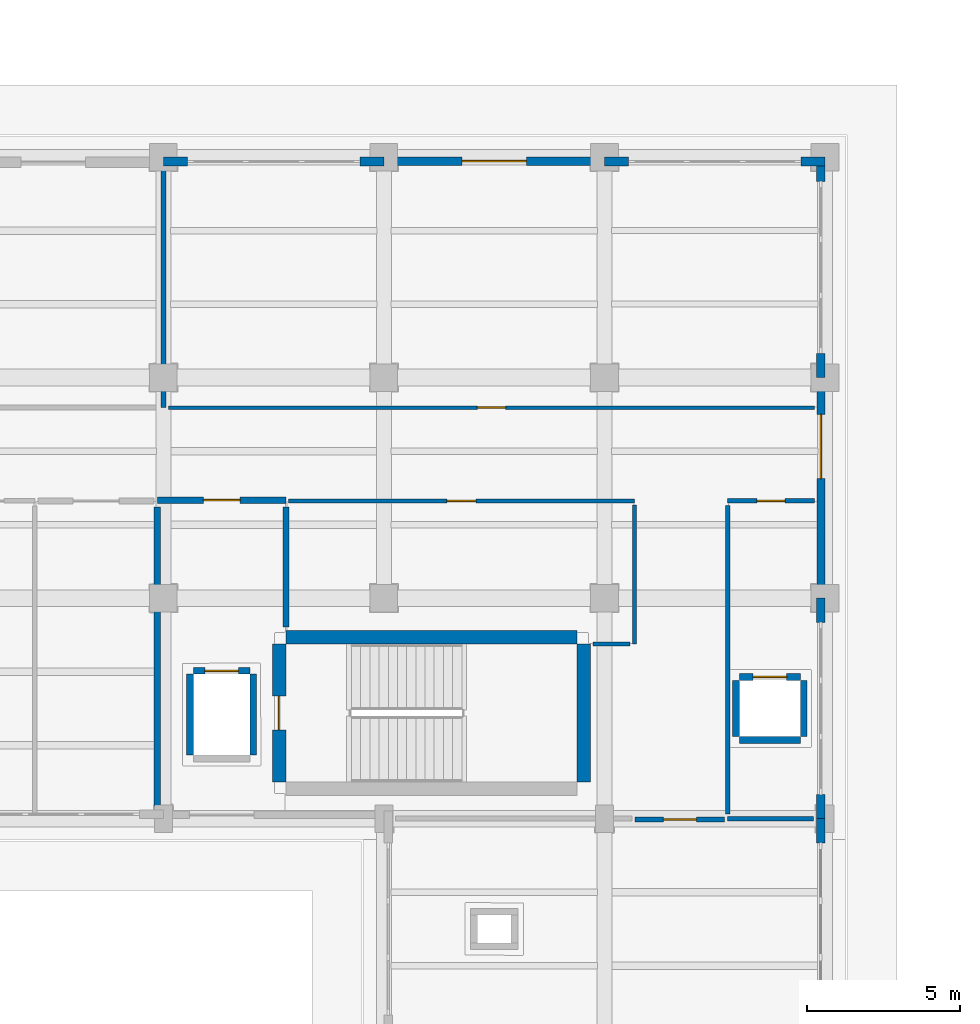
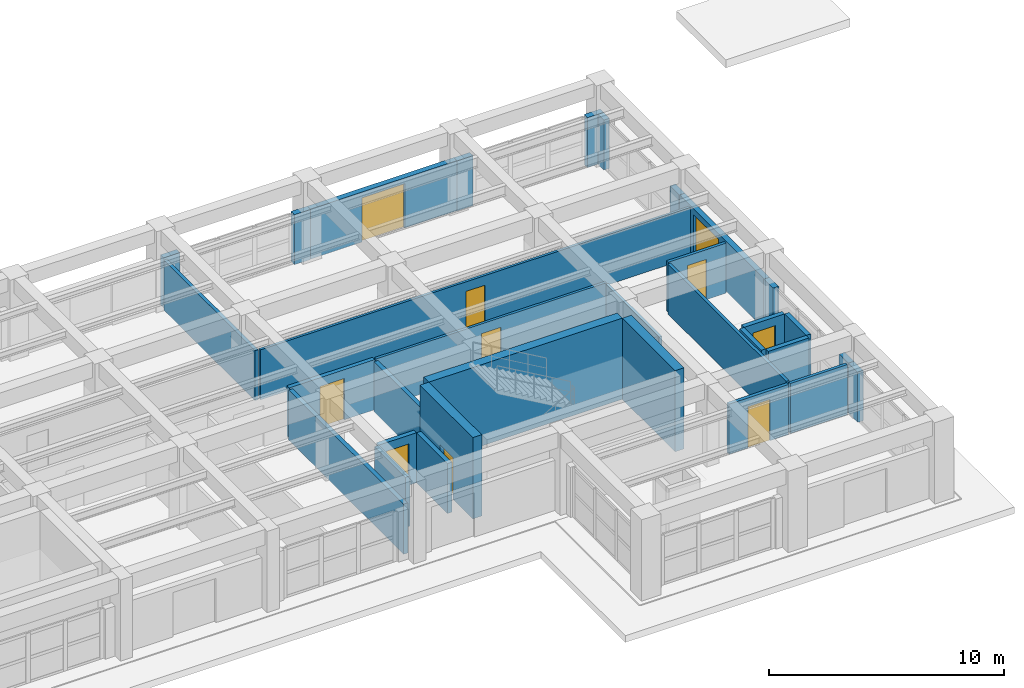
# One storey, part 48 of 64: 33 walls, 10 doors, 10 openings.
"""IFC4 building model written with IfcOpenShell, lengths in metres."""

from ifc_helpers import new_model, si_unit, direction, frame, frame_2d, origin, place, context, subcontext, project, spatial, rectangle, extrude, material, layer, layer_set, type_object, element, fill, save


model = new_model("IFC4")

# Units and contexts
model_context = context("Model", 3, precision=1e-05, world=origin(), true_north=direction((0.0, 1.0)))
body_context = subcontext(model_context, "Body", "Model", "MODEL_VIEW")
ifc_project = project(units=[si_unit("LENGTHUNIT", "METRE"), si_unit("AREAUNIT", "SQUARE_METRE"), si_unit("VOLUMEUNIT", "CUBIC_METRE"), si_unit("PLANEANGLEUNIT", "RADIAN"), si_unit("MASSUNIT", "GRAM", prefix="KILO")], contexts=[model_context])

# Site, building, storey
site_placement = place(None, origin())
site = spatial("IfcSite", under=ifc_project, at=site_placement, CompositionType="ELEMENT")
building_placement = place(site_placement, origin())
building = spatial("IfcBuilding", under=site, at=building_placement, Name="Solenvale Faculty of Natural Sciences", CompositionType="ELEMENT")
storey_placement = place(building_placement, origin())
storey = spatial("IfcBuildingStorey", under=building, at=storey_placement, Name="L00", CompositionType="ELEMENT", Elevation=0.0)

# Wall, opening, door
ifc_material_1 = material(Name="Precast concrete 40 MPa", Category="concrete")
ifc_layer_1 = layer(ifc_material_1, 0.264892578125)
ifc_layer_set_1 = layer_set([ifc_layer_1], Name="Precast concrete 40 MPa")
wall_type_1 = type_object("IfcWallType", Name="WL-EXT-PRC-265", PredefinedType="STANDARD", material=ifc_layer_set_1)
wall_1_placement = place(storey_placement, frame((151.0673828125, 108.0, 0.0), z_axis=(0.0, 0.0, 1.0), x_axis=(0.0, -1.0, 0.0)))
wall_1 = element("IfcWall", 1, at=wall_1_placement, inside=storey, type_object=wall_type_1, Name="L00 Exterior Wall 16.2", PredefinedType="STANDARD", context=body_context, shape_type="SweptSolid", body=[
    extrude(rectangle(XDim=7.199951171875, YDim=0.264892578125, at=frame_2d((3.60009765625, 0.0))), origin(), (0.0, 0.0, 1.0), 2.60009765625),
])
opening_1_placement = place(wall_1_placement, frame((1.199951171875, 0.0, 0.0)))
opening_1 = element("IfcOpeningElement", 2, at=opening_1_placement, cuts=wall_1, Name="Opening EX-18", PredefinedType="OPENING", context=body_context, shape_type="SweptSolid", body=[
    extrude(rectangle(XDim=2.10009765625, YDim=2.300048828125, at=frame_2d((1.050048828125, 1.14990234375))), frame((0.0, 0.142333984375, 0.0), z_axis=(0.0, -1.0, 0.0), x_axis=(1.0, 0.0, 0.0)), (0.0, 0.0, 1.0), 0.284912109375),
])
ifc_material_2 = material(Name="Anodised bronze aluminium", Category="aluminium")
door_type_1 = type_object("IfcDoorType", Name="DR-EXT-2100x2300", OperationType="NOTDEFINED", PredefinedType="DOOR", material=ifc_material_2)
door_1_placement = place(opening_1_placement, origin())
door_1 = element("IfcDoor", 3, at=door_1_placement, inside=storey, type_object=door_type_1, Name="L00 Exterior Exit Door EX-18", OperationType="DOUBLE_DOOR_SINGLE_SWING", OverallHeight=2.300048828125, OverallWidth=2.10009765625, PredefinedType="DOOR", context=body_context, shape_type="SweptSolid", body=[
    extrude(rectangle(XDim=2.10009765625, YDim=2.300048828125, at=frame_2d((1.050048828125, 1.14990234375))), frame((0.0, 0.02490234375, 0.0), z_axis=(0.0, -1.0, 0.0), x_axis=(1.0, 0.0, 0.0)), (0.0, 0.0, 1.0), 0.050048828125),
])
fill(opening_1, door_1)

wall_2_placement = place(storey_placement, frame((136.800048828125, 115.0673828125, 0.0), z_axis=(0.0, 0.0, 1.0), x_axis=(1.0, 0.0, 0.0)))
wall_2 = element("IfcWall", 4, at=wall_2_placement, inside=storey, type_object=wall_type_1, Name="L00 Exterior Wall 17.2", PredefinedType="STANDARD", context=body_context, shape_type="SweptSolid", body=[
    extrude(rectangle(XDim=7.199951171875, YDim=0.264892578125, at=frame_2d((3.60009765625, 0.0))), origin(), (0.0, 0.0, 1.0), 2.60009765625),
])
opening_2_placement = place(wall_2_placement, frame((2.550048828125, 0.0, 0.0)))
opening_2 = element("IfcOpeningElement", 5, at=opening_2_placement, cuts=wall_2, Name="Opening EX-19", PredefinedType="OPENING", context=body_context, shape_type="SweptSolid", body=[
    extrude(rectangle(XDim=2.10009765625, YDim=2.300048828125, at=frame_2d((1.050048828125, 1.14990234375))), frame((0.0, 0.142333984375, 0.0), z_axis=(0.0, -1.0, 0.0), x_axis=(1.0, 0.0, 0.0)), (0.0, 0.0, 1.0), 0.284912109375),
])
door_2_placement = place(opening_2_placement, origin())
door_2 = element("IfcDoor", 6, at=door_2_placement, inside=storey, type_object=door_type_1, Name="L00 Exterior Exit Door EX-19", OperationType="DOUBLE_DOOR_SINGLE_SWING", OverallHeight=2.300048828125, OverallWidth=2.10009765625, PredefinedType="DOOR", context=body_context, shape_type="SweptSolid", body=[
    extrude(rectangle(XDim=2.10009765625, YDim=2.300048828125, at=frame_2d((1.050048828125, 1.14990234375))), frame((0.0, 0.02490234375, 0.0), z_axis=(0.0, -1.0, 0.0), x_axis=(1.0, 0.0, 0.0)), (0.0, 0.0, 1.0), 0.050048828125),
])
fill(opening_2, door_2)

# Walls
ifc_layer_2 = layer(ifc_material_1, 0.284912109375)
ifc_layer_set_2 = layer_set([ifc_layer_2], Name="Precast concrete 40 MPa")
wall_type_2 = type_object("IfcWallType", Name="WL-EXT-PRC-285", PredefinedType="STANDARD", material=ifc_layer_set_2)
wall_3_placement = place(storey_placement, frame((151.0576171875, 92.81201171875, 0.0), z_axis=(0.0, 0.0, 1.0), x_axis=(0.0, 1.0, 0.0)))
element("IfcWall", 7, at=wall_3_placement, inside=storey, type_object=wall_type_2, Name="L00 Facade Closure Pier 15.B1-R", PredefinedType="STANDARD", context=body_context, shape_type="SweptSolid", body=[
    extrude(rectangle(XDim=0.7880859375, YDim=0.284912109375, at=frame_2d((0.39404296875, 0.0))), origin(), (0.0, 0.0, 1.0), 2.60009765625),
])
wall_4_placement = place(storey_placement, frame((151.0576171875, 93.60009765625, 0.0), z_axis=(0.0, 0.0, 1.0), x_axis=(0.0, 1.0, 0.0)))
element("IfcWall", 8, at=wall_4_placement, inside=storey, type_object=wall_type_2, Name="L00 Facade Closure Pier 16.B1-L", PredefinedType="STANDARD", context=body_context, shape_type="SweptSolid", body=[
    extrude(rectangle(XDim=0.787841796875, YDim=0.284912109375, at=frame_2d((0.39404296875, 0.0))), origin(), (0.0, 0.0, 1.0), 2.60009765625),
])
for number, where, z_axis, x_axis, name in (
    (9, (151.0576171875, 100.011962890625, 0.0), (0.0, 0.0, 1.0), (0.0, 1.0, 0.0), "L00 Facade Closure Pier 16.B1-R"),
    (10, (151.0576171875, 108.0, 0.0), (0.0, 0.0, 1.0), (0.0, 1.0, 0.0), "L00 Facade Closure Pier 16.B3-L"),
):
    element("IfcWall", number, at=place(storey_placement, frame(where, z_axis=z_axis, x_axis=x_axis)), inside=storey, type_object=wall_type_2, Name=name, PredefinedType="STANDARD", context=body_context, shape_type="SweptSolid", body=[
        extrude(rectangle(XDim=0.7880859375, YDim=0.284912109375, at=frame_2d((0.39404296875, 0.0))), origin(), (0.0, 0.0, 1.0), 2.60009765625),
    ])
wall_5_placement = place(storey_placement, frame((151.0576171875, 114.412109375, 0.0), z_axis=(0.0, 0.0, 1.0), x_axis=(0.0, 1.0, 0.0)))
element("IfcWall", 11, at=wall_5_placement, inside=storey, type_object=wall_type_2, Name="L00 Facade Closure Pier 16.B3-R", PredefinedType="STANDARD", context=body_context, shape_type="SweptSolid", body=[
    extrude(rectangle(XDim=0.5029296875, YDim=0.284912109375, at=frame_2d((0.25146484375, 0.0))), origin(), (0.0, 0.0, 1.0), 2.60009765625),
])
wall_6_placement = place(storey_placement, frame((151.199951171875, 115.0576171875, 0.0), z_axis=(0.0, 0.0, 1.0), x_axis=(-1.0, 0.0, 0.0)))
element("IfcWall", 12, at=wall_6_placement, inside=storey, type_object=wall_type_2, Name="L00 Facade Closure Pier 17.B1-L", PredefinedType="STANDARD", context=body_context, shape_type="SweptSolid", body=[
    extrude(rectangle(XDim=0.787841796875, YDim=0.284912109375, at=frame_2d((0.39404296875, 0.0))), origin(), (0.0, 0.0, 1.0), 2.60009765625),
])
for number, where, z_axis, x_axis, name in (
    (13, (144.7880859375, 115.0576171875, 0.0), (0.0, 0.0, 1.0), (-1.0, 0.0, 0.0), "L00 Facade Closure Pier 17.B1-R"),
    (14, (136.800048828125, 115.0576171875, 0.0), (0.0, 0.0, 1.0), (-1.0, 0.0, 0.0), "L00 Facade Closure Pier 17.B3-L"),
):
    element("IfcWall", number, at=place(storey_placement, frame(where, z_axis=z_axis, x_axis=x_axis)), inside=storey, type_object=wall_type_2, Name=name, PredefinedType="STANDARD", context=body_context, shape_type="SweptSolid", body=[
        extrude(rectangle(XDim=0.7880859375, YDim=0.284912109375, at=frame_2d((0.39404296875, 0.0))), origin(), (0.0, 0.0, 1.0), 2.60009765625),
    ])
wall_7_placement = place(storey_placement, frame((130.387939453125, 115.0576171875, 0.0), z_axis=(0.0, 0.0, 1.0), x_axis=(-1.0, 0.0, 0.0)))
element("IfcWall", 15, at=wall_7_placement, inside=storey, type_object=wall_type_2, Name="L00 Facade Closure Pier 17.B3-R", PredefinedType="STANDARD", context=body_context, shape_type="SweptSolid", body=[
    extrude(rectangle(XDim=0.787841796875, YDim=0.284912109375, at=frame_2d((0.39404296875, 0.0))), origin(), (0.0, 0.0, 1.0), 2.60009765625),
])

# Wall, opening, door
ifc_material_3 = material(Name="Gypsum fire-rated shaftwall")
ifc_layer_3 = layer(ifc_material_3, 0.205078125)
ifc_layer_set_3 = layer_set([ifc_layer_3], Name="Gypsum fire-rated shaftwall")
wall_type_3 = type_object("IfcWallType", Name="WL-FFL-205", PredefinedType="PARTITIONING", material=ifc_layer_set_3)
wall_8_placement = place(storey_placement, frame((129.39990234375, 104.0, 0.0), z_axis=(0.0, 0.0, 1.0), x_axis=(1.0, 0.0, 0.0)))
wall_8 = element("IfcWall", 16, at=wall_8_placement, inside=storey, type_object=wall_type_3, Name="L00 Firefighting Lobby C5 Partition 1", PredefinedType="PARTITIONING", context=body_context, shape_type="SweptSolid", body=[
    extrude(rectangle(XDim=4.2001953125, YDim=0.205078125, at=frame_2d((2.10009765625, 0.0))), origin(), (0.0, 0.0, 1.0), 2.60009765625),
])
opening_3_placement = place(wall_8_placement, frame((1.5, 0.0, 0.0)))
opening_3 = element("IfcOpeningElement", 17, at=opening_3_placement, cuts=wall_8, Name="Opening D-L00-02", PredefinedType="OPENING", context=body_context, shape_type="SweptSolid", body=[
    extrude(rectangle(XDim=1.199951171875, YDim=2.14990234375, at=frame_2d((0.60009765625, 1.074951171875))), frame((0.0, 0.112548828125, 0.0), z_axis=(0.0, -1.0, 0.0), x_axis=(1.0, 0.0, 0.0)), (0.0, 0.0, 1.0), 0.22509765625),
])
ifc_material_4 = material(Name="Galvanised steel S355", Category="steel")
door_type_2 = type_object("IfcDoorType", Name="DR-FFL-1200x2150", OperationType="NOTDEFINED", PredefinedType="DOOR", material=ifc_material_4)
door_3_placement = place(opening_3_placement, origin())
door_3 = element("IfcDoor", 18, at=door_3_placement, inside=storey, type_object=door_type_2, Name="L00 Firefighting Lobby C5 Door", OperationType="SINGLE_SWING_RIGHT", OverallHeight=2.14990234375, OverallWidth=1.199951171875, PredefinedType="DOOR", context=body_context, shape_type="SweptSolid", body=[
    extrude(rectangle(XDim=1.199951171875, YDim=2.14990234375, at=frame_2d((0.60009765625, 1.074951171875))), frame((0.0, 0.02490234375, 0.0), z_axis=(0.0, -1.0, 0.0), x_axis=(1.0, 0.0, 0.0)), (0.0, 0.0, 1.0), 0.050048828125),
])
fill(opening_3, door_3)

# Walls
wall_9_placement = place(storey_placement, frame((133.60009765625, 103.782958984375, 0.0), z_axis=(0.0, 0.0, 1.0), x_axis=(0.0, -1.0, 0.0)))
element("IfcWall", 19, at=wall_9_placement, inside=storey, type_object=wall_type_3, Name="L00 Firefighting Lobby C5 Partition 2", PredefinedType="PARTITIONING", context=body_context, shape_type="SweptSolid", body=[
    extrude(rectangle(XDim=3.927978515625, YDim=0.205078125, at=frame_2d((1.9638671875, 0.0))), origin(), (0.0, 0.0, 1.0), 2.60009765625),
])
wall_10_placement = place(storey_placement, frame((129.39990234375, 94.0, 0.0), z_axis=(0.0, 0.0, 1.0), x_axis=(0.0, 1.0, 0.0)))
element("IfcWall", 20, at=wall_10_placement, inside=storey, type_object=wall_type_3, Name="L00 Firefighting Lobby C5 Partition 4", PredefinedType="PARTITIONING", context=body_context, shape_type="SweptSolid", body=[
    extrude(rectangle(XDim=9.782958984375, YDim=0.205078125, at=frame_2d((4.8916015625, 0.0))), origin(), (0.0, 0.0, 1.0), 2.60009765625),
])

# Wall, opening, door
ifc_material_5 = material(Name="Acoustic stud gypsum partition")
ifc_layer_4 = layer(ifc_material_5, 0.125)
ifc_layer_set_4 = layer_set([ifc_layer_4], Name="Acoustic stud gypsum partition")
wall_type_4 = type_object("IfcWallType", Name="WL-OFF-125", PredefinedType="PARTITIONING", material=ifc_layer_set_4)
wall_11_placement = place(storey_placement, frame((150.861083984375, 107.02001953125, 0.0), z_axis=(0.0, 0.0, 1.0), x_axis=(-1.0, 0.0, 0.0)))
wall_11 = element("IfcWall", 21, at=wall_11_placement, inside=storey, type_object=wall_type_4, Name="L00 Faculty Administration Office Partition 4", PredefinedType="PARTITIONING", context=body_context, shape_type="SweptSolid", body=[
    extrude(rectangle(XDim=21.10400390625, YDim=0.125, at=frame_2d((10.552001953125, 0.0))), origin(), (0.0, 0.0, 1.0), 2.60009765625),
])
opening_4_placement = place(wall_11_placement, frame((10.092041015625, 0.0, 0.0)))
opening_4 = element("IfcOpeningElement", 22, at=opening_4_placement, cuts=wall_11, Name="Opening D-L00-21", PredefinedType="OPENING", context=body_context, shape_type="SweptSolid", body=[
    extrude(rectangle(XDim=0.919921875, YDim=2.10009765625, at=frame_2d((0.4599609375, 1.050048828125))), frame((0.0, 0.072509765625, 0.0), z_axis=(0.0, -1.0, 0.0), x_axis=(1.0, 0.0, 0.0)), (0.0, 0.0, 1.0), 0.14501953125),
])
ifc_material_6 = material(Name="Oak acoustic timber leaf", Category="wood")
door_type_3 = type_object("IfcDoorType", Name="DR-OFF-0920x2100", OperationType="NOTDEFINED", PredefinedType="DOOR", material=ifc_material_6)
door_4_placement = place(opening_4_placement, origin())
door_4 = element("IfcDoor", 23, at=door_4_placement, inside=storey, type_object=door_type_3, Name="L00 Faculty Administration Office Door", OperationType="SINGLE_SWING_LEFT", OverallHeight=2.10009765625, OverallWidth=0.919921875, PredefinedType="DOOR", context=body_context, shape_type="SweptSolid", body=[
    extrude(rectangle(XDim=0.919921875, YDim=2.10009765625, at=frame_2d((0.4599609375, 1.050048828125))), frame((0.0, 0.02490234375, 0.0), z_axis=(0.0, -1.0, 0.0), x_axis=(1.0, 0.0, 0.0)), (0.0, 0.0, 1.0), 0.050048828125),
])
fill(opening_4, door_4)

ifc_layer_5 = layer(ifc_material_5, 0.132080078125)
ifc_layer_set_5 = layer_set([ifc_layer_5], Name="Acoustic stud gypsum partition")
wall_type_5 = type_object("IfcWallType", Name="WL-OFF-132", PredefinedType="PARTITIONING", material=ifc_layer_set_5)
wall_12_placement = place(storey_placement, frame((133.677978515625, 103.97998046875, 0.0), z_axis=(0.0, 0.0, 1.0), x_axis=(1.0, 0.0, 0.0)))
wall_12 = element("IfcWall", 24, at=wall_12_placement, inside=storey, type_object=wall_type_5, Name="L00 Building Electrical and Telecom Closet Partition 18", PredefinedType="PARTITIONING", context=body_context, shape_type="SweptSolid", body=[
    extrude(rectangle(XDim=11.302001953125, YDim=0.132080078125, at=frame_2d((5.65087890625, 0.0))), origin(), (0.0, 0.0, 1.0), 2.60009765625),
])
opening_5_placement = place(wall_12_placement, frame((5.176025390625, 0.0, 0.0)))
opening_5 = element("IfcOpeningElement", 25, at=opening_5_placement, cuts=wall_12, Name="Opening D-L00-26", PredefinedType="OPENING", context=body_context, shape_type="SweptSolid", body=[
    extrude(rectangle(XDim=0.949951171875, YDim=2.10009765625, at=frame_2d((0.47509765625, 1.050048828125))), frame((0.0, 0.075927734375, 0.0), z_axis=(0.0, -1.0, 0.0), x_axis=(1.0, 0.0, 0.0)), (0.0, 0.0, 1.0), 0.152099609375),
])
door_type_4 = type_object("IfcDoorType", Name="DR-OFF-0950x2100", OperationType="NOTDEFINED", PredefinedType="DOOR", material=ifc_material_6)
door_5_placement = place(opening_5_placement, origin())
door_5 = element("IfcDoor", 26, at=door_5_placement, inside=storey, type_object=door_type_4, Name="L00 Building Electrical and Telecom Closet Door", OperationType="SINGLE_SWING_RIGHT", OverallHeight=2.10009765625, OverallWidth=0.949951171875, PredefinedType="DOOR", context=body_context, shape_type="SweptSolid", body=[
    extrude(rectangle(XDim=0.949951171875, YDim=2.10009765625, at=frame_2d((0.47509765625, 1.050048828125))), frame((0.0, 0.02490234375, 0.0), z_axis=(0.0, -1.0, 0.0), x_axis=(1.0, 0.0, 0.0)), (0.0, 0.0, 1.0), 0.050048828125),
])
fill(opening_5, door_5)

# Walls
wall_13_placement = place(storey_placement, frame((144.97998046875, 103.8359375, 0.0), z_axis=(0.0, 0.0, 1.0), x_axis=(0.0, -1.0, 0.0)))
element("IfcWall", 27, at=wall_13_placement, inside=storey, type_object=wall_type_5, Name="L00 Building Electrical and Telecom Closet Partition 19", PredefinedType="PARTITIONING", context=body_context, shape_type="SweptSolid", body=[
    extrude(rectangle(XDim=4.535888671875, YDim=0.132080078125, at=frame_2d((2.26806640625, 0.0))), origin(), (0.0, 0.0, 1.0), 2.60009765625),
])
wall_14_placement = place(storey_placement, frame((144.8359375, 99.300048828125, 0.0), z_axis=(0.0, 0.0, 1.0), x_axis=(-1.0, 0.0, 0.0)))
element("IfcWall", 28, at=wall_14_placement, inside=storey, type_object=wall_type_5, Name="L00 Building Electrical and Telecom Closet Partition 20", PredefinedType="PARTITIONING", context=body_context, shape_type="SweptSolid", body=[
    extrude(rectangle(XDim=1.218017578125, YDim=0.132080078125, at=frame_2d((0.60888671875, 0.0))), origin(), (0.0, 0.0, 1.0), 2.60009765625),
])

# Wall, opening, door
ifc_layer_6 = layer(ifc_material_5, 0.14794921875)
ifc_layer_set_6 = layer_set([ifc_layer_6], Name="Acoustic stud gypsum partition")
wall_type_6 = type_object("IfcWallType", Name="WL-OFF-148", PredefinedType="PARTITIONING", material=ifc_layer_set_6)
wall_15_placement = place(storey_placement, frame((148.02001953125, 103.97998046875, 0.0), z_axis=(0.0, 0.0, 1.0), x_axis=(1.0, 0.0, 0.0)))
wall_15 = element("IfcWall", 29, at=wall_15_placement, inside=storey, type_object=wall_type_6, Name="L00 Elevator Lobby Partition 1", PredefinedType="PARTITIONING", context=body_context, shape_type="SweptSolid", body=[
    extrude(rectangle(XDim=2.8291015625, YDim=0.14794921875, at=frame_2d((1.41455078125, 0.0))), origin(), (0.0, 0.0, 1.0), 2.60009765625),
])
opening_6_placement = place(wall_15_placement, frame((0.9541015625, 0.0, 0.0)))
opening_6 = element("IfcOpeningElement", 30, at=opening_6_placement, cuts=wall_15, Name="Opening D-L00-27", PredefinedType="OPENING", context=body_context, shape_type="SweptSolid", body=[
    extrude(rectangle(XDim=0.919921875, YDim=2.10009765625, at=frame_2d((0.4599609375, 1.050048828125))), frame((0.0, 0.083984375, 0.0), z_axis=(0.0, -1.0, 0.0), x_axis=(1.0, 0.0, 0.0)), (0.0, 0.0, 1.0), 0.16796875),
])
door_6_placement = place(opening_6_placement, origin())
door_6 = element("IfcDoor", 31, at=door_6_placement, inside=storey, type_object=door_type_3, Name="L00 Elevator Lobby Door", OperationType="SINGLE_SWING_LEFT", OverallHeight=2.10009765625, OverallWidth=0.919921875, PredefinedType="DOOR", context=body_context, shape_type="SweptSolid", body=[
    extrude(rectangle(XDim=0.919921875, YDim=2.10009765625, at=frame_2d((0.4599609375, 1.050048828125))), frame((0.0, 0.02490234375, 0.0), z_axis=(0.0, -1.0, 0.0), x_axis=(1.0, 0.0, 0.0)), (0.0, 0.0, 1.0), 0.050048828125),
])
fill(opening_6, door_6)

# Walls
wall_16_placement = place(storey_placement, frame((150.8291015625, 93.60009765625, 0.0), z_axis=(0.0, 0.0, 1.0), x_axis=(-1.0, 0.0, 0.0)))
element("IfcWall", 32, at=wall_16_placement, inside=storey, type_object=wall_type_6, Name="L00 Elevator Lobby Partition 3", PredefinedType="PARTITIONING", context=body_context, shape_type="SweptSolid", body=[
    extrude(rectangle(XDim=2.80908203125, YDim=0.14794921875, at=frame_2d((1.404541015625, 0.0))), origin(), (0.0, 0.0, 1.0), 2.60009765625),
])
wall_17_placement = place(storey_placement, frame((148.02001953125, 93.760009765625, 0.0), z_axis=(0.0, 0.0, 1.0), x_axis=(0.0, 1.0, 0.0)))
element("IfcWall", 33, at=wall_17_placement, inside=storey, type_object=wall_type_6, Name="L00 Elevator Lobby Partition 4", PredefinedType="PARTITIONING", context=body_context, shape_type="SweptSolid", body=[
    extrude(rectangle(XDim=10.06005859375, YDim=0.14794921875, at=frame_2d((5.030029296875, 0.0))), origin(), (0.0, 0.0, 1.0), 2.60009765625),
])
ifc_material_7 = material(Name="Acoustic double-stud gypsum partition")
ifc_layer_7 = layer(ifc_material_7, 0.1650390625)
ifc_layer_set_7 = layer_set([ifc_layer_7], Name="Acoustic double-stud gypsum partition")
wall_type_7 = type_object("IfcWallType", Name="WL-SEM-165", PredefinedType="PARTITIONING", material=ifc_layer_set_7)
wall_18_placement = place(storey_placement, frame((129.60009765625, 114.77490234375, 0.0), z_axis=(0.0, 0.0, 1.0), x_axis=(0.0, -1.0, 0.0)))
element("IfcWall", 34, at=wall_18_placement, inside=storey, type_object=wall_type_7, Name="L00 Seminar Room Partition 3", PredefinedType="PARTITIONING", context=body_context, shape_type="SweptSolid", body=[
    extrude(rectangle(XDim=7.7548828125, YDim=0.1650390625, at=frame_2d((3.87744140625, 0.0))), origin(), (0.0, 0.0, 1.0), 2.60009765625),
])

# Wall, opening, door
wall_19_placement = place(storey_placement, frame((145.0, 93.580078125, 0.0), z_axis=(0.0, 0.0, 1.0), x_axis=(1.0, 0.0, 0.0)))
wall_19 = element("IfcWall", 35, at=wall_19_placement, inside=storey, type_object=wall_type_7, Name="L00 Seminar Room Partition 16", PredefinedType="PARTITIONING", context=body_context, shape_type="SweptSolid", body=[
    extrude(rectangle(XDim=2.925048828125, YDim=0.1650390625, at=frame_2d((1.46240234375, 0.0))), origin(), (0.0, 0.0, 1.0), 2.60009765625),
])
opening_7_placement = place(wall_19_placement, frame((0.923095703125, 0.0, 0.0)))
opening_7 = element("IfcOpeningElement", 36, at=opening_7_placement, cuts=wall_19, Name="Opening D-L00-28", PredefinedType="OPENING", context=body_context, shape_type="SweptSolid", body=[
    extrude(rectangle(XDim=1.080078125, YDim=2.14990234375, at=frame_2d((0.5400390625, 1.074951171875))), frame((0.0, 0.092529296875, 0.0), z_axis=(0.0, -1.0, 0.0), x_axis=(1.0, 0.0, 0.0)), (0.0, 0.0, 1.0), 0.18505859375),
])
door_type_5 = type_object("IfcDoorType", Name="DR-SEM-1080x2150", OperationType="NOTDEFINED", PredefinedType="DOOR", material=ifc_material_6)
door_7_placement = place(opening_7_placement, origin())
door_7 = element("IfcDoor", 37, at=door_7_placement, inside=storey, type_object=door_type_5, Name="L00 Seminar Room Door", OperationType="SINGLE_SWING_RIGHT", OverallHeight=2.14990234375, OverallWidth=1.080078125, PredefinedType="DOOR", context=body_context, shape_type="SweptSolid", body=[
    extrude(rectangle(XDim=1.080078125, YDim=2.14990234375, at=frame_2d((0.5400390625, 1.074951171875))), frame((0.0, 0.02490234375, 0.0), z_axis=(0.0, -1.0, 0.0), x_axis=(1.0, 0.0, 0.0)), (0.0, 0.0, 1.0), 0.050048828125),
])
fill(opening_7, door_7)

ifc_material_8 = material(Name="Concrete 40 MPa", Category="concrete")
ifc_layer_8 = layer(ifc_material_8, 0.219970703125)
ifc_layer_set_8 = layer_set([ifc_layer_8], Name="Concrete 40 MPa")
wall_type_8 = type_object("IfcWallType", Name="WL-SHF-220", PredefinedType="STANDARD", material=ifc_layer_set_8)
wall_20_placement = place(storey_placement, frame((130.580078125, 98.429931640625, 0.0), z_axis=(0.0, 0.0, 1.0), x_axis=(1.0, 0.0, 0.0)))
wall_20 = element("IfcWall", 38, at=wall_20_placement, inside=storey, type_object=wall_type_8, Name="Elevator LF-02 L00 Shaft Wall N", PredefinedType="STANDARD", context=body_context, shape_type="SweptSolid", body=[
    extrude(rectangle(XDim=1.83984375, YDim=0.219970703125, at=frame_2d((0.919921875, 0.0))), origin(), (0.0, 0.0, 1.0), 2.60009765625),
])
opening_8_placement = place(wall_20_placement, frame((0.3701171875, 0.0, 0.0)))
opening_8 = element("IfcOpeningElement", 39, at=opening_8_placement, cuts=wall_20, Name="Opening LD-LF-02-L00", PredefinedType="OPENING", context=body_context, shape_type="SweptSolid", body=[
    extrude(rectangle(XDim=1.10009765625, YDim=2.14990234375, at=frame_2d((0.550048828125, 1.074951171875))), frame((0.0, 0.119873046875, 0.0), z_axis=(0.0, -1.0, 0.0), x_axis=(1.0, 0.0, 0.0)), (0.0, 0.0, 1.0), 0.239990234375),
])
ifc_material_9 = material(Name="Stainless steel Grade 304", Category="steel")
door_type_6 = type_object("IfcDoorType", Name="DR-LIFT-1100x2150", OperationType="NOTDEFINED", PredefinedType="DOOR", material=ifc_material_9)
door_8_placement = place(opening_8_placement, origin())
door_8 = element("IfcDoor", 40, at=door_8_placement, inside=storey, type_object=door_type_6, Name="Elevator LF-02 L00 Sliding Landing Door", OperationType="SLIDING_TO_LEFT", OverallHeight=2.14990234375, OverallWidth=1.10009765625, PredefinedType="DOOR", context=body_context, shape_type="SweptSolid", body=[
    extrude(rectangle(XDim=1.10009765625, YDim=2.14990234375, at=frame_2d((0.550048828125, 1.074951171875))), frame((0.0, 0.02490234375, 0.0), z_axis=(0.0, -1.0, 0.0), x_axis=(1.0, 0.0, 0.0)), (0.0, 0.0, 1.0), 0.050048828125),
])
fill(opening_8, door_8)

# Walls
for number, where, z_axis, x_axis, name in (
    (41, (130.469970703125, 95.679931640625, 0.0), (0.0, 0.0, 1.0), (0.0, 1.0, 0.0), "Elevator LF-02 L00 Shaft Wall W"),
    (42, (132.530029296875, 95.679931640625, 0.0), (0.0, 0.0, 1.0), (0.0, 1.0, 0.0), "Elevator LF-02 L00 Shaft Wall E"),
):
    element("IfcWall", number, at=place(storey_placement, frame(where, z_axis=z_axis, x_axis=x_axis)), inside=storey, type_object=wall_type_8, Name=name, PredefinedType="STANDARD", context=body_context, shape_type="SweptSolid", body=[
        extrude(rectangle(XDim=2.64013671875, YDim=0.219970703125, at=frame_2d((1.320068359375, 0.0))), origin(), (0.0, 0.0, 1.0), 2.60009765625),
    ])
wall_21_placement = place(storey_placement, frame((148.405029296875, 96.169921875, 0.0), z_axis=(0.0, 0.0, 1.0), x_axis=(1.0, 0.0, 0.0)))
element("IfcWall", 43, at=wall_21_placement, inside=storey, type_object=wall_type_8, Name="Elevator LP-03 L00 Shaft Wall S", PredefinedType="STANDARD", context=body_context, shape_type="SweptSolid", body=[
    extrude(rectangle(XDim=1.989990234375, YDim=0.219970703125, at=frame_2d((0.9951171875, 0.0))), origin(), (0.0, 0.0, 1.0), 2.60009765625),
])

# Wall, opening, door
wall_22_placement = place(storey_placement, frame((148.405029296875, 98.22998046875, 0.0), z_axis=(0.0, 0.0, 1.0), x_axis=(1.0, 0.0, 0.0)))
wall_22 = element("IfcWall", 44, at=wall_22_placement, inside=storey, type_object=wall_type_8, Name="Elevator LP-03 L00 Shaft Wall N", PredefinedType="STANDARD", context=body_context, shape_type="SweptSolid", body=[
    extrude(rectangle(XDim=1.989990234375, YDim=0.219970703125, at=frame_2d((0.9951171875, 0.0))), origin(), (0.0, 0.0, 1.0), 2.60009765625),
])
opening_9_placement = place(wall_22_placement, frame((0.445068359375, 0.0, 0.0)))
opening_9 = element("IfcOpeningElement", 45, at=opening_9_placement, cuts=wall_22, Name="Opening LD-LP-03-L00", PredefinedType="OPENING", context=body_context, shape_type="SweptSolid", body=[
    extrude(rectangle(XDim=1.10009765625, YDim=2.14990234375, at=frame_2d((0.550048828125, 1.074951171875))), frame((0.0, 0.119873046875, 0.0), z_axis=(0.0, -1.0, 0.0), x_axis=(1.0, 0.0, 0.0)), (0.0, 0.0, 1.0), 0.239990234375),
])
door_9_placement = place(opening_9_placement, origin())
door_9 = element("IfcDoor", 46, at=door_9_placement, inside=storey, type_object=door_type_6, Name="Elevator LP-03 L00 Sliding Landing Door", OperationType="SLIDING_TO_LEFT", OverallHeight=2.14990234375, OverallWidth=1.10009765625, PredefinedType="DOOR", context=body_context, shape_type="SweptSolid", body=[
    extrude(rectangle(XDim=1.10009765625, YDim=2.14990234375, at=frame_2d((0.550048828125, 1.074951171875))), frame((0.0, 0.02490234375, 0.0), z_axis=(0.0, -1.0, 0.0), x_axis=(1.0, 0.0, 0.0)), (0.0, 0.0, 1.0), 0.050048828125),
])
fill(opening_9, door_9)

# Walls
for number, where, z_axis, x_axis, name in (
    (47, (148.294921875, 96.280029296875, 0.0), (0.0, 0.0, 1.0), (0.0, 1.0, 0.0), "Elevator LP-03 L00 Shaft Wall W"),
    (48, (150.5048828125, 96.280029296875, 0.0), (0.0, 0.0, 1.0), (0.0, 1.0, 0.0), "Elevator LP-03 L00 Shaft Wall E"),
):
    element("IfcWall", number, at=place(storey_placement, frame(where, z_axis=z_axis, x_axis=x_axis)), inside=storey, type_object=wall_type_8, Name=name, PredefinedType="STANDARD", context=body_context, shape_type="SweptSolid", body=[
        extrude(rectangle(XDim=1.840087890625, YDim=0.219970703125, at=frame_2d((0.919921875, 0.0))), origin(), (0.0, 0.0, 1.0), 2.60009765625),
    ])
ifc_material_10 = material(Name="Concrete 50 MPa", Category="concrete")
ifc_layer_9 = layer(ifc_material_10, 0.43994140625)
ifc_layer_set_9 = layer_set([ifc_layer_9], Name="Concrete 50 MPa")
wall_type_9 = type_object("IfcWallType", Name="WL-SHR-440", PredefinedType="SHEAR", material=ifc_layer_set_9)
wall_23_placement = place(storey_placement, frame((133.60009765625, 99.52001953125, 0.0), z_axis=(0.0, 0.0, 1.0), x_axis=(1.0, 0.0, 0.0)))
element("IfcWall", 49, at=wall_23_placement, inside=storey, type_object=wall_type_9, Name="Core C5 L00 Shear Wall N", PredefinedType="SHEAR", context=body_context, shape_type="SweptSolid", body=[
    extrude(rectangle(XDim=9.5, YDim=0.43994140625, at=frame_2d((4.75, 0.0))), origin(), (0.0, 0.0, 1.0), 4.219970703125),
])

# Wall, opening, door
wall_24_placement = place(storey_placement, frame((133.3798828125, 94.800048828125, 0.0), z_axis=(0.0, 0.0, 1.0), x_axis=(0.0, 1.0, 0.0)))
wall_24 = element("IfcWall", 50, at=wall_24_placement, inside=storey, type_object=wall_type_9, Name="Core C5 L00 Shear Wall W", PredefinedType="SHEAR", context=body_context, shape_type="SweptSolid", body=[
    extrude(rectangle(XDim=4.5, YDim=0.43994140625, at=frame_2d((2.25, 0.0))), origin(), (0.0, 0.0, 1.0), 4.219970703125),
])
opening_10_placement = place(wall_24_placement, frame((1.699951171875, 0.0, 0.0)))
opening_10 = element("IfcOpeningElement", 51, at=opening_10_placement, cuts=wall_24, Name="Opening DS-C5-L00", PredefinedType="OPENING", context=body_context, shape_type="SweptSolid", body=[
    extrude(rectangle(XDim=1.10009765625, YDim=2.14990234375, at=frame_2d((0.550048828125, 1.074951171875))), frame((0.0, 0.22998046875, 0.0), z_axis=(0.0, -1.0, 0.0), x_axis=(1.0, 0.0, 0.0)), (0.0, 0.0, 1.0), 0.4599609375),
])
door_type_7 = type_object("IfcDoorType", Name="DR-STAIR-1100x2150", OperationType="NOTDEFINED", PredefinedType="DOOR", material=ifc_material_4)
door_10_placement = place(opening_10_placement, origin())
door_10 = element("IfcDoor", 52, at=door_10_placement, inside=storey, type_object=door_type_7, Name="L00 Stair ST-05 Fire Door", OperationType="SINGLE_SWING_LEFT", OverallHeight=2.14990234375, OverallWidth=1.10009765625, PredefinedType="DOOR", context=body_context, shape_type="SweptSolid", body=[
    extrude(rectangle(XDim=1.10009765625, YDim=2.14990234375, at=frame_2d((0.550048828125, 1.074951171875))), frame((0.0, 0.02490234375, 0.0), z_axis=(0.0, -1.0, 0.0), x_axis=(1.0, 0.0, 0.0)), (0.0, 0.0, 1.0), 0.050048828125),
])
fill(opening_10, door_10)

# Wall
wall_25_placement = place(storey_placement, frame((143.320068359375, 94.800048828125, 0.0), z_axis=(0.0, 0.0, 1.0), x_axis=(0.0, 1.0, 0.0)))
element("IfcWall", 53, at=wall_25_placement, inside=storey, type_object=wall_type_9, Name="Core C5 L00 Shear Wall E", PredefinedType="SHEAR", context=body_context, shape_type="SweptSolid", body=[
    extrude(rectangle(XDim=4.5, YDim=0.43994140625, at=frame_2d((2.25, 0.0))), origin(), (0.0, 0.0, 1.0), 4.219970703125),
])

save(model, "model.ifc")
